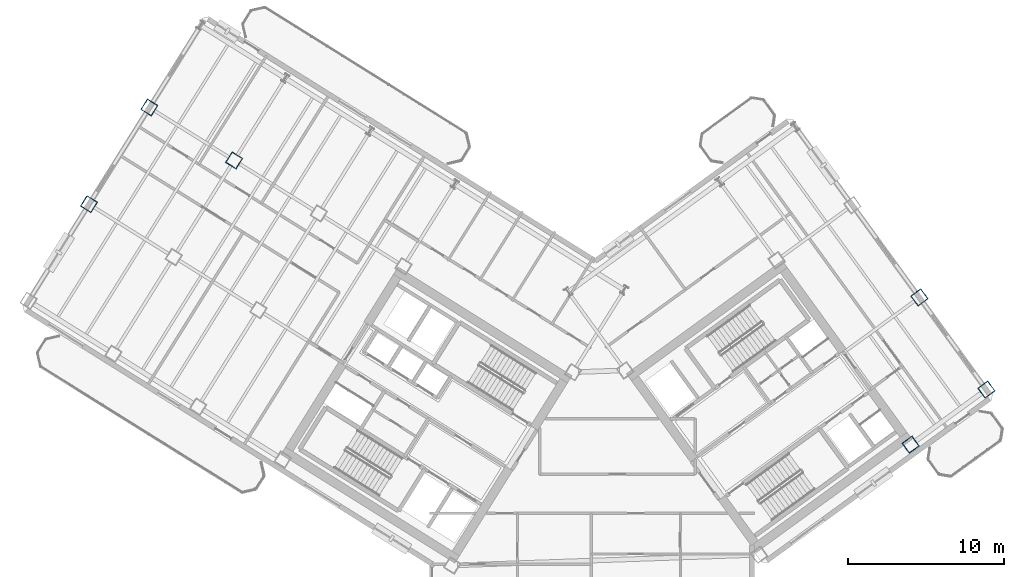
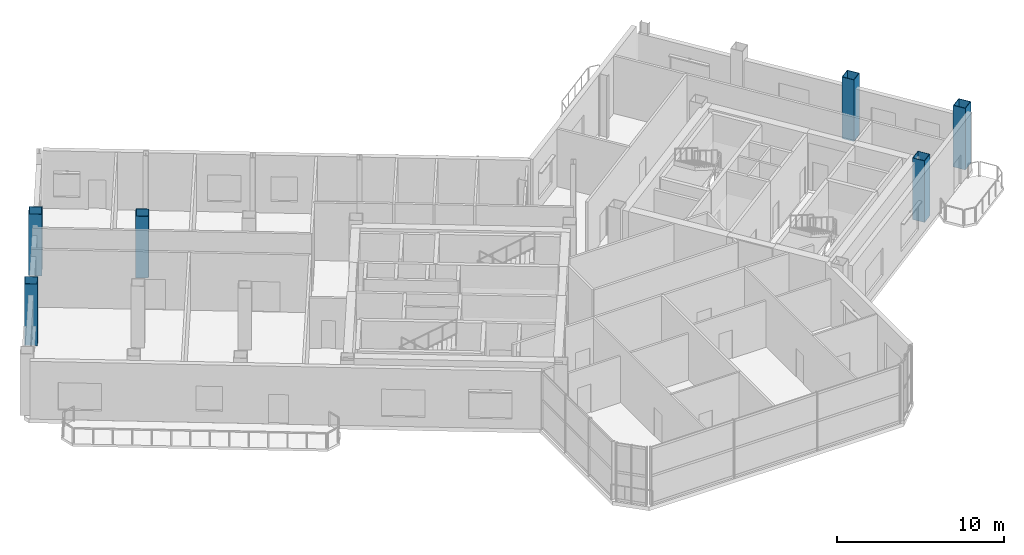
# One storey, part 2 of 20: 6 columns.
"""IFC4 building model written with IfcOpenShell, lengths in metres."""

from ifc_helpers import new_model, si_unit, direction, frame, origin, origin_2d, place, context, subcontext, project, spatial, hollow_rectangle, extrude, source, transform, mapped, material, material_profile, profile_set, type_object, element, save


model = new_model("IFC4")

# Units and contexts
model_context = context("Model", 3, precision=1e-05, world=origin(), true_north=direction((0.0, 1.0)))
body_context = subcontext(model_context, "Body", "Model", "MODEL_VIEW")
ifc_project = project(units=[si_unit("LENGTHUNIT", "METRE"), si_unit("AREAUNIT", "SQUARE_METRE"), si_unit("VOLUMEUNIT", "CUBIC_METRE"), si_unit("PLANEANGLEUNIT", "RADIAN"), si_unit("MASSUNIT", "GRAM", prefix="KILO")], contexts=[model_context])

# Site, building, storey
site_placement = place(None, origin())
site = spatial("IfcSite", under=ifc_project, at=site_placement, CompositionType="ELEMENT")
building_placement = place(site_placement, origin())
building = spatial("IfcBuilding", under=site, at=building_placement, Name="Tlacorven Tower", CompositionType="ELEMENT")
storey_placement = place(building_placement, frame((0.0, 0.0, 195.0)))
storey = spatial("IfcBuildingStorey", under=building, at=storey_placement, Name="L49", CompositionType="ELEMENT", Elevation=195.0)

# Columns
ifc_material = material(Name="Steel S460M", Category="steel")
ifc_material_profile = material_profile(ifc_material, hollow_rectangle(XDim=0.800048828125, YDim=0.800048828125, WallThickness=0.031982421875, at=origin_2d()), Name="BOX 800X800X32")
ifc_profile_set = profile_set([ifc_material_profile], Name="Steel S460M")
column_type = type_object("IfcColumnType", Name="COL-TWR-S3", PredefinedType="COLUMN", material=ifc_profile_set)
shared_shape = source(origin(), body_context, "Body", "SweptSolid", [
    extrude(hollow_rectangle(XDim=0.800048828125, YDim=0.800048828125, WallThickness=0.031982421875, at=origin_2d()), origin(), (0.0, 0.0, 1.0), 4.5),
])
for number, where, z_axis, x_axis, name in (
    (1, (19.072998046875, 38.034423828125, 0.0), (0.0, 0.0, 1.0), (-0.848048096156, 0.529919264233, 0.0), "L49 column COL-L49-W5-2"),
    (2, (13.6455078125, 41.42578125, 0.0), (0.0, 0.0, 1.0), (-0.848048096156, 0.529919264233, 0.0), "L49 column COL-L49-W6-2"),
    (3, (9.777099609375, 35.235107421875, 0.0), (0.0, 0.0, 1.0), (-0.848048096156, 0.529919264233, 0.0), "L49 column COL-L49-W6-3"),
    (4, (62.41357421875, 19.826904296875, 0.0), (0.0, 0.0, 1.0), (0.809016994375, 0.587785252292, 0.0), "L49 column COL-L49-E3-1"),
    (5, (67.267822265625, 23.353515625, 0.0), (0.0, 0.0, 1.0), (0.809016994375, 0.587785252292, 0.0), "L49 column COL-L49-E4-1"),
    (6, (62.976806640625, 29.25927734375, 0.0), (0.0, 0.0, 1.0), (0.809016994375, 0.587785252292, 0.0), "L49 column COL-L49-E4-2"),
):
    element("IfcColumn", number, at=place(storey_placement, frame(where, z_axis=z_axis, x_axis=x_axis)), inside=storey, type_object=column_type, Name=name, PredefinedType="COLUMN", context=body_context, shape_type="MappedRepresentation", body=[
        mapped(shared_shape, transform((0.0, 0.0, 0.0), scale=1.0)),
    ])

save(model, "model.ifc")
